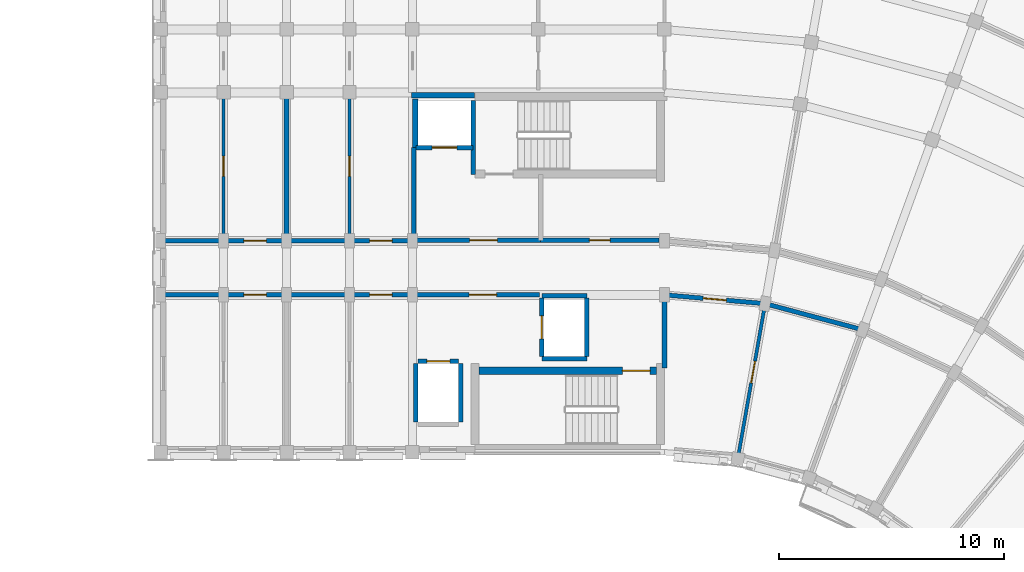
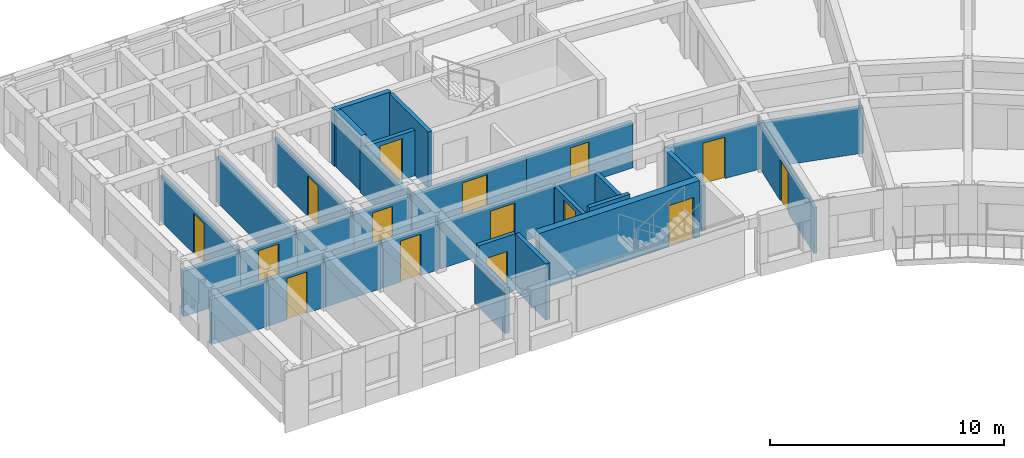
# One storey, part 29 of 53: 31 walls, 15 doors, 15 openings.
"""IFC4 building model written with IfcOpenShell, lengths in metres."""

from ifc_helpers import new_model, si_unit, direction, frame, frame_2d, origin, place, context, subcontext, project, spatial, rectangle, extrude, material, layer, layer_set, type_object, element, fill, save


model = new_model("IFC4")

# Units and contexts
model_context = context("Model", 3, precision=1e-05, world=origin(), true_north=direction((0.0, 1.0)))
body_context = subcontext(model_context, "Body", "Model", "MODEL_VIEW")
ifc_project = project(units=[si_unit("LENGTHUNIT", "METRE"), si_unit("AREAUNIT", "SQUARE_METRE"), si_unit("VOLUMEUNIT", "CUBIC_METRE"), si_unit("PLANEANGLEUNIT", "RADIAN"), si_unit("MASSUNIT", "GRAM", prefix="KILO")], contexts=[model_context])

# Site, building, storey
site_placement = place(None, origin())
site = spatial("IfcSite", under=ifc_project, at=site_placement, CompositionType="ELEMENT")
building_placement = place(site_placement, origin())
building = spatial("IfcBuilding", under=site, at=building_placement, Name="Kiranvali Square Residences", CompositionType="ELEMENT")
storey_placement = place(building_placement, frame((0.0, 0.0, 30.75)))
storey = spatial("IfcBuildingStorey", under=building, at=storey_placement, Name="L09", CompositionType="ELEMENT", Elevation=30.75)

# Wall, opening, door
ifc_material_1 = material(Name="Autoclaved aerated concrete blockwork masonry", Category="masonry")
ifc_layer_1 = layer(ifc_material_1, 0.199951171875)
ifc_layer_set_1 = layer_set([ifc_layer_1], Name="Autoclaved aerated concrete blockwork masonry")
wall_type_1 = type_object("IfcWallType", Name="WL-COR-200", PredefinedType="STANDARD", material=ifc_layer_set_1)
wall_1_placement = place(storey_placement, frame((114.25, 113.60009765625, 0.0), z_axis=(0.0, 0.0, 1.0), x_axis=(-1.0, 0.0, 0.0)))
wall_1 = element("IfcWall", 1, at=wall_1_placement, inside=storey, type_object=wall_type_1, Name="L09 architectural wall WL-L09-B-LL-COR", PredefinedType="STANDARD", context=body_context, shape_type="SweptSolid", body=[
    extrude(rectangle(XDim=5.60009765625, YDim=0.199951171875, at=frame_2d((2.800048828125, 0.0))), origin(), (0.0, 0.0, 1.0), 2.3720703125),
])
opening_1_placement = place(wall_1_placement, frame((1.909912109375, 0.0, 0.0)))
opening_1 = element("IfcOpeningElement", 2, at=opening_1_placement, cuts=wall_1, Name="Opening FD-COR-60", PredefinedType="OPENING", context=body_context, shape_type="SweptSolid", body=[
    extrude(rectangle(XDim=1.219970703125, YDim=2.14990234375, at=frame_2d((0.60986328125, 1.074951171875))), frame((0.0, 0.10986328125, 0.0), z_axis=(0.0, -1.0, 0.0), x_axis=(1.0, 0.0, 0.0)), (0.0, 0.0, 1.0), 0.219970703125),
])
ifc_material_2 = material(Name="Fire-rated acoustic hardwood and mineral-core door assembly", Category="wood")
door_type_1 = type_object("IfcDoorType", Name="DR-FD60-1200", OperationType="NOTDEFINED", PredefinedType="DOOR", material=ifc_material_2)
door_1_placement = place(opening_1_placement, origin())
door_1 = element("IfcDoor", 3, at=door_1_placement, inside=storey, type_object=door_type_1, Name="L09 door DR-L09-1521 (DR-FD60-1200)", OperationType="SINGLE_SWING_LEFT", OverallHeight=2.14990234375, OverallWidth=1.219970703125, PredefinedType="DOOR", context=body_context, shape_type="SweptSolid", body=[
    extrude(rectangle(XDim=1.219970703125, YDim=2.14990234375, at=frame_2d((0.60986328125, 1.074951171875))), frame((0.0, 0.02490234375, 0.0), z_axis=(0.0, -1.0, 0.0), x_axis=(1.0, 0.0, 0.0)), (0.0, 0.0, 1.0), 0.050048828125),
])
fill(opening_1, door_1)

wall_2_placement = place(storey_placement, frame((108.60009765625, 113.60009765625, 0.0), z_axis=(0.0, 0.0, 1.0), x_axis=(-1.0, 0.0, 0.0)))
wall_2 = element("IfcWall", 4, at=wall_2_placement, inside=storey, type_object=wall_type_1, Name="L09 architectural wall WL-L09-B-A1CI-0", PredefinedType="STANDARD", context=body_context, shape_type="SweptSolid", body=[
    extrude(rectangle(XDim=2.800048828125, YDim=0.199951171875, at=frame_2d((1.39990234375, 0.0))), origin(), (0.0, 0.0, 1.0), 2.3720703125),
])
opening_2_placement = place(wall_2_placement, frame((0.89990234375, 0.0, 0.0)))
opening_2 = element("IfcOpeningElement", 5, at=opening_2_placement, cuts=wall_2, Name="Opening FD-APT-60", PredefinedType="OPENING", context=body_context, shape_type="SweptSolid", body=[
    extrude(rectangle(XDim=1.0, YDim=2.14990234375, at=frame_2d((0.5, 1.074951171875))), frame((0.0, 0.10986328125, 0.0), z_axis=(0.0, -1.0, 0.0), x_axis=(1.0, 0.0, 0.0)), (0.0, 0.0, 1.0), 0.219970703125),
])
door_type_2 = type_object("IfcDoorType", Name="DR-APT-1000", OperationType="NOTDEFINED", PredefinedType="DOOR", material=ifc_material_2)
door_2_placement = place(opening_2_placement, origin())
door_2 = element("IfcDoor", 6, at=door_2_placement, inside=storey, type_object=door_type_2, Name="L09 door DR-L09-1525 (DR-APT-1000)", OperationType="SINGLE_SWING_LEFT", OverallHeight=2.14990234375, OverallWidth=1.0, PredefinedType="DOOR", context=body_context, shape_type="SweptSolid", body=[
    extrude(rectangle(XDim=1.0, YDim=2.14990234375, at=frame_2d((0.5, 1.074951171875))), frame((0.0, 0.02490234375, 0.0), z_axis=(0.0, -1.0, 0.0), x_axis=(1.0, 0.0, 0.0)), (0.0, 0.0, 1.0), 0.050048828125),
])
fill(opening_2, door_2)

wall_3_placement = place(storey_placement, frame((108.60009765625, 116.0, 0.0), z_axis=(0.0, 0.0, 1.0), x_axis=(-1.0, 0.0, 0.0)))
wall_3 = element("IfcWall", 7, at=wall_3_placement, inside=storey, type_object=wall_type_1, Name="L09 architectural wall WL-L09-B-A1CO-0", PredefinedType="STANDARD", context=body_context, shape_type="SweptSolid", body=[
    extrude(rectangle(XDim=2.800048828125, YDim=0.199951171875, at=frame_2d((1.39990234375, 0.0))), origin(), (0.0, 0.0, 1.0), 2.3720703125),
])
opening_3_placement = place(wall_3_placement, frame((0.89990234375, 0.0, 0.0)))
opening_3 = element("IfcOpeningElement", 8, at=opening_3_placement, cuts=wall_3, Name="Opening FD-APT-60", PredefinedType="OPENING", context=body_context, shape_type="SweptSolid", body=[
    extrude(rectangle(XDim=1.0, YDim=2.14990234375, at=frame_2d((0.5, 1.074951171875))), frame((0.0, 0.10986328125, 0.0), z_axis=(0.0, -1.0, 0.0), x_axis=(1.0, 0.0, 0.0)), (0.0, 0.0, 1.0), 0.219970703125),
])
door_3_placement = place(opening_3_placement, origin())
door_3 = element("IfcDoor", 9, at=door_3_placement, inside=storey, type_object=door_type_2, Name="L09 door DR-L09-1527 (DR-APT-1000)", OperationType="SINGLE_SWING_LEFT", OverallHeight=2.14990234375, OverallWidth=1.0, PredefinedType="DOOR", context=body_context, shape_type="SweptSolid", body=[
    extrude(rectangle(XDim=1.0, YDim=2.14990234375, at=frame_2d((0.5, 1.074951171875))), frame((0.0, 0.02490234375, 0.0), z_axis=(0.0, -1.0, 0.0), x_axis=(1.0, 0.0, 0.0)), (0.0, 0.0, 1.0), 0.050048828125),
])
fill(opening_3, door_3)

# Walls
for number, where, z_axis, x_axis, name in (
    (10, (105.800048828125, 113.60009765625, 0.0), (0.0, 0.0, 1.0), (-1.0, 0.0, 0.0), "L09 architectural wall WL-L09-B-A1CI-1"),
    (11, (105.800048828125, 116.0, 0.0), (0.0, 0.0, 1.0), (-1.0, 0.0, 0.0), "L09 architectural wall WL-L09-B-A1CO-1"),
):
    element("IfcWall", number, at=place(storey_placement, frame(where, z_axis=z_axis, x_axis=x_axis)), inside=storey, type_object=wall_type_1, Name=name, PredefinedType="STANDARD", context=body_context, shape_type="SweptSolid", body=[
        extrude(rectangle(XDim=2.800048828125, YDim=0.199951171875, at=frame_2d((1.39990234375, 0.0))), origin(), (0.0, 0.0, 1.0), 2.3720703125),
    ])

# Wall, opening, door
wall_4_placement = place(storey_placement, frame((103.0, 113.60009765625, 0.0), z_axis=(0.0, 0.0, 1.0), x_axis=(-1.0, 0.0, 0.0)))
wall_4 = element("IfcWall", 12, at=wall_4_placement, inside=storey, type_object=wall_type_1, Name="L09 architectural wall WL-L09-B-A1CI-2", PredefinedType="STANDARD", context=body_context, shape_type="SweptSolid", body=[
    extrude(rectangle(XDim=2.800048828125, YDim=0.199951171875, at=frame_2d((1.39990234375, 0.0))), origin(), (0.0, 0.0, 1.0), 2.3720703125),
])
opening_4_placement = place(wall_4_placement, frame((0.89990234375, 0.0, 0.0)))
opening_4 = element("IfcOpeningElement", 13, at=opening_4_placement, cuts=wall_4, Name="Opening FD-APT-60", PredefinedType="OPENING", context=body_context, shape_type="SweptSolid", body=[
    extrude(rectangle(XDim=1.0, YDim=2.14990234375, at=frame_2d((0.5, 1.074951171875))), frame((0.0, 0.10986328125, 0.0), z_axis=(0.0, -1.0, 0.0), x_axis=(1.0, 0.0, 0.0)), (0.0, 0.0, 1.0), 0.219970703125),
])
door_4_placement = place(opening_4_placement, origin())
door_4 = element("IfcDoor", 14, at=door_4_placement, inside=storey, type_object=door_type_2, Name="L09 door DR-L09-1529 (DR-APT-1000)", OperationType="SINGLE_SWING_LEFT", OverallHeight=2.14990234375, OverallWidth=1.0, PredefinedType="DOOR", context=body_context, shape_type="SweptSolid", body=[
    extrude(rectangle(XDim=1.0, YDim=2.14990234375, at=frame_2d((0.5, 1.074951171875))), frame((0.0, 0.02490234375, 0.0), z_axis=(0.0, -1.0, 0.0), x_axis=(1.0, 0.0, 0.0)), (0.0, 0.0, 1.0), 0.050048828125),
])
fill(opening_4, door_4)

wall_5_placement = place(storey_placement, frame((103.0, 116.0, 0.0), z_axis=(0.0, 0.0, 1.0), x_axis=(-1.0, 0.0, 0.0)))
wall_5 = element("IfcWall", 15, at=wall_5_placement, inside=storey, type_object=wall_type_1, Name="L09 architectural wall WL-L09-B-A1CO-2", PredefinedType="STANDARD", context=body_context, shape_type="SweptSolid", body=[
    extrude(rectangle(XDim=2.800048828125, YDim=0.199951171875, at=frame_2d((1.39990234375, 0.0))), origin(), (0.0, 0.0, 1.0), 2.3720703125),
])
opening_5_placement = place(wall_5_placement, frame((0.89990234375, 0.0, 0.0)))
opening_5 = element("IfcOpeningElement", 16, at=opening_5_placement, cuts=wall_5, Name="Opening FD-APT-60", PredefinedType="OPENING", context=body_context, shape_type="SweptSolid", body=[
    extrude(rectangle(XDim=1.0, YDim=2.14990234375, at=frame_2d((0.5, 1.074951171875))), frame((0.0, 0.10986328125, 0.0), z_axis=(0.0, -1.0, 0.0), x_axis=(1.0, 0.0, 0.0)), (0.0, 0.0, 1.0), 0.219970703125),
])
door_5_placement = place(opening_5_placement, origin())
door_5 = element("IfcDoor", 17, at=door_5_placement, inside=storey, type_object=door_type_2, Name="L09 door DR-L09-1531 (DR-APT-1000)", OperationType="SINGLE_SWING_LEFT", OverallHeight=2.14990234375, OverallWidth=1.0, PredefinedType="DOOR", context=body_context, shape_type="SweptSolid", body=[
    extrude(rectangle(XDim=1.0, YDim=2.14990234375, at=frame_2d((0.5, 1.074951171875))), frame((0.0, 0.02490234375, 0.0), z_axis=(0.0, -1.0, 0.0), x_axis=(1.0, 0.0, 0.0)), (0.0, 0.0, 1.0), 0.050048828125),
])
fill(opening_5, door_5)

# Walls
for number, where, z_axis, x_axis, name in (
    (18, (100.199951171875, 113.60009765625, 0.0), (0.0, 0.0, 1.0), (-1.0, 0.0, 0.0), "L09 architectural wall WL-L09-B-A1CI-3"),
    (19, (100.199951171875, 116.0, 0.0), (0.0, 0.0, 1.0), (-1.0, 0.0, 0.0), "L09 architectural wall WL-L09-B-A1CO-3"),
):
    element("IfcWall", number, at=place(storey_placement, frame(where, z_axis=z_axis, x_axis=x_axis)), inside=storey, type_object=wall_type_1, Name=name, PredefinedType="STANDARD", context=body_context, shape_type="SweptSolid", body=[
        extrude(rectangle(XDim=2.800048828125, YDim=0.199951171875, at=frame_2d((1.39990234375, 0.0))), origin(), (0.0, 0.0, 1.0), 2.3720703125),
    ])

# Wall, opening, door
wall_6_placement = place(storey_placement, frame((119.800048828125, 113.60009765625, 0.0), z_axis=(0.0, 0.0, 1.0), x_axis=(0.996191949488, -0.087187153726, 0.0)))
wall_6 = element("IfcWall", 20, at=wall_6_placement, inside=storey, type_object=wall_type_1, Name="L09 architectural wall WL-L09-B-CCI-0", PredefinedType="STANDARD", context=body_context, shape_type="SweptSolid", body=[
    extrude(rectangle(XDim=4.4970703125, YDim=0.199951171875, at=frame_2d((2.24853515625, 0.0))), origin(), (0.0, 0.0, 1.0), 2.3720703125),
])
opening_6_placement = place(wall_6_placement, frame((1.728515625, 0.0, 0.0)))
opening_6 = element("IfcOpeningElement", 21, at=opening_6_placement, cuts=wall_6, Name="Opening FD-APT-60B", PredefinedType="OPENING", context=body_context, shape_type="SweptSolid", body=[
    extrude(rectangle(XDim=1.0400390625, YDim=2.14990234375, at=frame_2d((0.52001953125, 1.074951171875))), frame((0.0, 0.10986328125, 0.0), z_axis=(0.0, -1.0, 0.0), x_axis=(1.0, 0.0, 0.0)), (0.0, 0.0, 1.0), 0.219970703125),
])
door_type_3 = type_object("IfcDoorType", Name="DR-APT-1040", OperationType="NOTDEFINED", PredefinedType="DOOR", material=ifc_material_2)
door_6_placement = place(opening_6_placement, frame((1.0400390625, 0.0, 0.0), z_axis=(0.0, 0.0, 1.0), x_axis=(-1.0, 0.0, 0.0)))
door_6 = element("IfcDoor", 22, at=door_6_placement, inside=storey, type_object=door_type_3, Name="L09 door DR-L09-1560 (DR-APT-1040)", OperationType="SINGLE_SWING_RIGHT", OverallHeight=2.14990234375, OverallWidth=1.0400390625, PredefinedType="DOOR", context=body_context, shape_type="SweptSolid", body=[
    extrude(rectangle(XDim=1.0400390625, YDim=2.14990234375, at=frame_2d((0.52001953125, 1.074951171875))), frame((0.0, 0.02490234375, 0.0), z_axis=(0.0, -1.0, 0.0), x_axis=(1.0, 0.0, 0.0)), (0.0, 0.0, 1.0), 0.050048828125),
])
fill(opening_6, door_6)

# Walls
wall_7_placement = place(storey_placement, frame((124.280029296875, 113.2080078125, 0.0), z_axis=(0.0, 0.0, 1.0), x_axis=(0.965934240054, -0.258787642463, 0.0)))
element("IfcWall", 23, at=wall_7_placement, inside=storey, type_object=wall_type_1, Name="L09 architectural wall WL-L09-B-CCI-1", PredefinedType="STANDARD", context=body_context, shape_type="SweptSolid", body=[
    extrude(rectangle(XDim=4.497314453125, YDim=0.199951171875, at=frame_2d((2.24853515625, 0.0))), origin(), (0.0, 0.0, 1.0), 2.3720703125),
])
ifc_layer_2 = layer(ifc_material_1, 0.219970703125)
ifc_layer_set_2 = layer_set([ifc_layer_2], Name="Autoclaved aerated concrete blockwork masonry")
wall_type_2 = type_object("IfcWallType", Name="WL-DEM-220", PredefinedType="STANDARD", material=ifc_layer_set_2)
wall_8_placement = place(storey_placement, frame((103.0, 116.050048828125, 0.0), z_axis=(0.0, 0.0, 1.0), x_axis=(0.0, 1.0, 0.0)))
element("IfcWall", 24, at=wall_8_placement, inside=storey, type_object=wall_type_2, Name="L09 architectural wall WL-L09-B-A1TO1-2", PredefinedType="STANDARD", context=body_context, shape_type="SweptSolid", body=[
    extrude(rectangle(XDim=6.530029296875, YDim=0.219970703125, at=frame_2d((3.26513671875, 0.0))), origin(), (0.0, 0.0, 1.0), 2.3720703125),
])
wall_9_placement = place(storey_placement, frame((119.800048828125, 110.35009765625, 0.0), z_axis=(0.0, 0.0, 1.0), x_axis=(0.0, 1.0, 0.0)))
element("IfcWall", 25, at=wall_9_placement, inside=storey, type_object=wall_type_2, Name="L09 architectural wall WL-L09-B-RADI-0", PredefinedType="STANDARD", context=body_context, shape_type="SweptSolid", body=[
    extrude(rectangle(XDim=3.199951171875, YDim=0.219970703125, at=frame_2d((1.60009765625, 0.0))), origin(), (0.0, 0.0, 1.0), 2.3720703125),
])

# Wall, opening, door
ifc_layer_3 = layer(ifc_material_1, 0.199951171875)
ifc_layer_set_3 = layer_set([ifc_layer_3], Name="Autoclaved aerated concrete blockwork masonry")
wall_type_3 = type_object("IfcWallType", Name="WL-FFL-200", PredefinedType="STANDARD", material=ifc_layer_set_3)
wall_10_placement = place(storey_placement, frame((114.300048828125, 116.02001953125, 0.0), z_axis=(0.0, 0.0, 1.0), x_axis=(-1.0, 0.0, 0.0)))
wall_10 = element("IfcWall", 26, at=wall_10_placement, inside=storey, type_object=wall_type_3, Name="L09 architectural wall WL-L09-B-FF-COR", PredefinedType="STANDARD", context=body_context, shape_type="SweptSolid", body=[
    extrude(rectangle(XDim=5.650146484375, YDim=0.199951171875, at=frame_2d((2.8251953125, 0.0))), origin(), (0.0, 0.0, 1.0), 2.3720703125),
])
opening_7_placement = place(wall_10_placement, frame((1.922607421875, 0.0, 0.0)))
opening_7 = element("IfcOpeningElement", 27, at=opening_7_placement, cuts=wall_10, Name="Opening FD-ST-120", PredefinedType="OPENING", context=body_context, shape_type="SweptSolid", body=[
    extrude(rectangle(XDim=1.239990234375, YDim=2.14990234375, at=frame_2d((0.6201171875, 1.074951171875))), frame((0.0, 0.10986328125, 0.0), z_axis=(0.0, -1.0, 0.0), x_axis=(1.0, 0.0, 0.0)), (0.0, 0.0, 1.0), 0.219970703125),
])
door_type_4 = type_object("IfcDoorType", Name="DR-FD120-1200", OperationType="NOTDEFINED", PredefinedType="DOOR", material=ifc_material_2)
door_7_placement = place(opening_7_placement, origin())
door_7 = element("IfcDoor", 28, at=door_7_placement, inside=storey, type_object=door_type_4, Name="L09 door DR-L09-1513 (DR-FD120-1200)", OperationType="SINGLE_SWING_LEFT", OverallHeight=2.14990234375, OverallWidth=1.239990234375, PredefinedType="DOOR", context=body_context, shape_type="SweptSolid", body=[
    extrude(rectangle(XDim=1.239990234375, YDim=2.14990234375, at=frame_2d((0.6201171875, 1.074951171875))), frame((0.0, 0.02490234375, 0.0), z_axis=(0.0, -1.0, 0.0), x_axis=(1.0, 0.0, 0.0)), (0.0, 0.0, 1.0), 0.050048828125),
])
fill(opening_7, door_7)

# Wall
wall_11_placement = place(storey_placement, frame((108.64990234375, 116.02001953125, 0.0), z_axis=(0.0, 0.0, 1.0), x_axis=(0.0, 1.0, 0.0)))
element("IfcWall", 29, at=wall_11_placement, inside=storey, type_object=wall_type_3, Name="L09 architectural wall WL-L09-B-FF-END", PredefinedType="STANDARD", context=body_context, shape_type="SweptSolid", body=[
    extrude(rectangle(XDim=4.1298828125, YDim=0.199951171875, at=frame_2d((2.06494140625, 0.0))), origin(), (0.0, 0.0, 1.0), 2.3720703125),
])

# Wall, opening, door
wall_12_placement = place(storey_placement, frame((111.300048828125, 120.14990234375, 0.0), z_axis=(0.0, 0.0, 1.0), x_axis=(-1.0, 0.0, 0.0)))
wall_12 = element("IfcWall", 30, at=wall_12_placement, inside=storey, type_object=wall_type_3, Name="L09 architectural wall WL-L09-B-FF-LFT", PredefinedType="STANDARD", context=body_context, shape_type="SweptSolid", body=[
    extrude(rectangle(XDim=2.550048828125, YDim=0.199951171875, at=frame_2d((1.27490234375, 0.0))), origin(), (0.0, 0.0, 1.0), 2.3720703125),
])
opening_8_placement = place(wall_12_placement, frame((0.72509765625, 0.0, 0.0)))
opening_8 = element("IfcOpeningElement", 31, at=opening_8_placement, cuts=wall_12, Name="Opening LD-FF-110", PredefinedType="OPENING", context=body_context, shape_type="SweptSolid", body=[
    extrude(rectangle(XDim=1.10009765625, YDim=2.14990234375, at=frame_2d((0.550048828125, 1.074951171875))), frame((0.0, 0.10986328125, 0.0), z_axis=(0.0, -1.0, 0.0), x_axis=(1.0, 0.0, 0.0)), (0.0, 0.0, 1.0), 0.219970703125),
])
door_type_5 = type_object("IfcDoorType", Name="DR-LIFT-FF-1100", OperationType="SLIDING_TO_LEFT", PredefinedType="DOOR", material=ifc_material_2)
door_8_placement = place(opening_8_placement, origin())
door_8 = element("IfcDoor", 32, at=door_8_placement, inside=storey, type_object=door_type_5, Name="L09 door DR-L09-1515 (DR-LIFT-FF-1100)", OperationType="SLIDING_TO_LEFT", OverallHeight=2.14990234375, OverallWidth=1.10009765625, PredefinedType="DOOR", context=body_context, shape_type="SweptSolid", body=[
    extrude(rectangle(XDim=1.10009765625, YDim=2.14990234375, at=frame_2d((0.550048828125, 1.074951171875))), frame((0.0, 0.02490234375, 0.0), z_axis=(0.0, -1.0, 0.0), x_axis=(1.0, 0.0, 0.0)), (0.0, 0.0, 1.0), 0.050048828125),
])
fill(opening_8, door_8)

ifc_material_3 = material(Name="Acoustic gypsum board drylined partition", Category="gypsum")
ifc_layer_4 = layer(ifc_material_3, 0.14990234375)
ifc_layer_set_4 = layer_set([ifc_layer_4], Name="Acoustic gypsum board drylined partition")
wall_type_4 = type_object("IfcWallType", Name="WL-PRT-150", PredefinedType="PARTITIONING", material=ifc_layer_set_4)
wall_13_placement = place(storey_placement, frame((105.800048828125, 116.050048828125, 0.0), z_axis=(0.0, 0.0, 1.0), x_axis=(0.0, 1.0, 0.0)))
wall_13 = element("IfcWall", 33, at=wall_13_placement, inside=storey, type_object=wall_type_4, Name="L09 architectural wall WL-L09-B-A1TO1-1", PredefinedType="PARTITIONING", context=body_context, shape_type="SweptSolid", body=[
    extrude(rectangle(XDim=6.530029296875, YDim=0.14990234375, at=frame_2d((3.26513671875, 0.0))), origin(), (0.0, 0.0, 1.0), 2.3720703125),
])
opening_9_placement = place(wall_13_placement, frame((2.81494140625, 0.0, 0.0)))
opening_9 = element("IfcOpeningElement", 34, at=opening_9_placement, cuts=wall_13, Name="Opening ID-1", PredefinedType="OPENING", context=body_context, shape_type="SweptSolid", body=[
    extrude(rectangle(XDim=0.89990234375, YDim=2.10009765625, at=frame_2d((0.449951171875, 1.050048828125))), frame((0.0, 0.0849609375, 0.0), z_axis=(0.0, -1.0, 0.0), x_axis=(1.0, 0.0, 0.0)), (0.0, 0.0, 1.0), 0.169921875),
])
ifc_material_4 = material(Name="Solid seasoned teak hardwood joinery", Category="wood")
door_type_6 = type_object("IfcDoorType", Name="DR-INT-900", OperationType="NOTDEFINED", PredefinedType="DOOR", material=ifc_material_4)
door_9_placement = place(opening_9_placement, origin())
door_9 = element("IfcDoor", 35, at=door_9_placement, inside=storey, type_object=door_type_6, Name="L09 door DR-L09-1535 (DR-INT-900)", OperationType="SINGLE_SWING_LEFT", OverallHeight=2.10009765625, OverallWidth=0.89990234375, PredefinedType="DOOR", context=body_context, shape_type="SweptSolid", body=[
    extrude(rectangle(XDim=0.89990234375, YDim=2.10009765625, at=frame_2d((0.449951171875, 1.050048828125))), frame((0.0, 0.02490234375, 0.0), z_axis=(0.0, -1.0, 0.0), x_axis=(1.0, 0.0, 0.0)), (0.0, 0.0, 1.0), 0.050048828125),
])
fill(opening_9, door_9)

wall_14_placement = place(storey_placement, frame((100.199951171875, 116.050048828125, 0.0), z_axis=(0.0, 0.0, 1.0), x_axis=(0.0, 1.0, 0.0)))
wall_14 = element("IfcWall", 36, at=wall_14_placement, inside=storey, type_object=wall_type_4, Name="L09 architectural wall WL-L09-B-A1TO1-3", PredefinedType="PARTITIONING", context=body_context, shape_type="SweptSolid", body=[
    extrude(rectangle(XDim=6.530029296875, YDim=0.14990234375, at=frame_2d((3.26513671875, 0.0))), origin(), (0.0, 0.0, 1.0), 2.3720703125),
])
opening_10_placement = place(wall_14_placement, frame((2.81494140625, 0.0, 0.0)))
opening_10 = element("IfcOpeningElement", 37, at=opening_10_placement, cuts=wall_14, Name="Opening ID-1", PredefinedType="OPENING", context=body_context, shape_type="SweptSolid", body=[
    extrude(rectangle(XDim=0.89990234375, YDim=2.10009765625, at=frame_2d((0.449951171875, 1.050048828125))), frame((0.0, 0.0849609375, 0.0), z_axis=(0.0, -1.0, 0.0), x_axis=(1.0, 0.0, 0.0)), (0.0, 0.0, 1.0), 0.169921875),
])
door_10_placement = place(opening_10_placement, frame((0.89990234375, 0.0, 0.0), z_axis=(0.0, 0.0, 1.0), x_axis=(-1.0, 0.0, 0.0)))
door_10 = element("IfcDoor", 38, at=door_10_placement, inside=storey, type_object=door_type_6, Name="L09 door DR-L09-1538 (DR-INT-900)", OperationType="SINGLE_SWING_RIGHT", OverallHeight=2.10009765625, OverallWidth=0.89990234375, PredefinedType="DOOR", context=body_context, shape_type="SweptSolid", body=[
    extrude(rectangle(XDim=0.89990234375, YDim=2.10009765625, at=frame_2d((0.449951171875, 1.050048828125))), frame((0.0, 0.02490234375, 0.0), z_axis=(0.0, -1.0, 0.0), x_axis=(1.0, 0.0, 0.0)), (0.0, 0.0, 1.0), 0.050048828125),
])
fill(opening_10, door_10)

wall_15_placement = place(storey_placement, frame((123.099365234375, 106.51123046875, 0.0), z_axis=(0.0, 0.0, 1.0), x_axis=(0.173647089161, 0.984807944945, 0.0)))
wall_15 = element("IfcWall", 39, at=wall_15_placement, inside=storey, type_object=wall_type_4, Name="L09 architectural wall WL-L09-B-RADI-1", PredefinedType="PARTITIONING", context=body_context, shape_type="SweptSolid", body=[
    extrude(rectangle(XDim=6.75, YDim=0.14990234375, at=frame_2d((3.375, 0.0))), origin(), (0.0, 0.0, 1.0), 2.3720703125),
])
opening_11_placement = place(wall_15_placement, frame((3.222412109375, 0.0, 0.0)))
opening_11 = element("IfcOpeningElement", 40, at=opening_11_placement, cuts=wall_15, Name="Opening ID-3", PredefinedType="OPENING", context=body_context, shape_type="SweptSolid", body=[
    extrude(rectangle(XDim=0.97998046875, YDim=2.1201171875, at=frame_2d((0.489990234375, 1.06005859375))), frame((0.0, 0.0849609375, 0.0), z_axis=(0.0, -1.0, 0.0), x_axis=(1.0, 0.0, 0.0)), (0.0, 0.0, 1.0), 0.169921875),
])
door_type_7 = type_object("IfcDoorType", Name="DR-INT-980", OperationType="NOTDEFINED", PredefinedType="DOOR", material=ifc_material_4)
door_11_placement = place(opening_11_placement, origin())
door_11 = element("IfcDoor", 41, at=door_11_placement, inside=storey, type_object=door_type_7, Name="L09 door DR-L09-1541 (DR-INT-980)", OperationType="SINGLE_SWING_LEFT", OverallHeight=2.1201171875, OverallWidth=0.97998046875, PredefinedType="DOOR", context=body_context, shape_type="SweptSolid", body=[
    extrude(rectangle(XDim=0.97998046875, YDim=2.1201171875, at=frame_2d((0.489990234375, 1.06005859375))), frame((0.0, 0.02490234375, 0.0), z_axis=(0.0, -1.0, 0.0), x_axis=(1.0, 0.0, 0.0)), (0.0, 0.0, 1.0), 0.050048828125),
])
fill(opening_11, door_11)

ifc_layer_5 = layer(ifc_material_1, 0.199951171875)
ifc_layer_set_5 = layer_set([ifc_layer_5], Name="Autoclaved aerated concrete blockwork masonry")
wall_type_5 = type_object("IfcWallType", Name="WL-SHF-200", PredefinedType="STANDARD", material=ifc_layer_set_5)
wall_16_placement = place(storey_placement, frame((119.550048828125, 116.02001953125, 0.0), z_axis=(0.0, 0.0, 1.0), x_axis=(-1.0, 0.0, 0.0)))
wall_16 = element("IfcWall", 42, at=wall_16_placement, inside=storey, type_object=wall_type_5, Name="L09 architectural wall WL-L09-B-RSR-COR", PredefinedType="STANDARD", context=body_context, shape_type="SweptSolid", body=[
    extrude(rectangle(XDim=5.25, YDim=0.199951171875, at=frame_2d((2.625, 0.0))), origin(), (0.0, 0.0, 1.0), 2.3720703125),
])
opening_12_placement = place(wall_16_placement, frame((2.1650390625, 0.0, 0.0)))
opening_12 = element("IfcOpeningElement", 43, at=opening_12_placement, cuts=wall_16, Name="Opening FD-SVC-120", PredefinedType="OPENING", context=body_context, shape_type="SweptSolid", body=[
    extrude(rectangle(XDim=0.919921875, YDim=2.10009765625, at=frame_2d((0.4599609375, 1.050048828125))), frame((0.0, 0.10986328125, 0.0), z_axis=(0.0, -1.0, 0.0), x_axis=(1.0, 0.0, 0.0)), (0.0, 0.0, 1.0), 0.219970703125),
])
door_type_8 = type_object("IfcDoorType", Name="DR-SVC-900", OperationType="NOTDEFINED", PredefinedType="DOOR", material=ifc_material_2)
door_12_placement = place(opening_12_placement, frame((0.919921875, 0.0, 0.0), z_axis=(0.0, 0.0, 1.0), x_axis=(-1.0, 0.0, 0.0)))
door_12 = element("IfcDoor", 44, at=door_12_placement, inside=storey, type_object=door_type_8, Name="L09 door DR-L09-1514 (DR-SVC-900)", OperationType="SINGLE_SWING_RIGHT", OverallHeight=2.10009765625, OverallWidth=0.919921875, PredefinedType="DOOR", context=body_context, shape_type="SweptSolid", body=[
    extrude(rectangle(XDim=0.919921875, YDim=2.10009765625, at=frame_2d((0.4599609375, 1.050048828125))), frame((0.0, 0.02490234375, 0.0), z_axis=(0.0, -1.0, 0.0), x_axis=(1.0, 0.0, 0.0)), (0.0, 0.0, 1.0), 0.050048828125),
])
fill(opening_12, door_12)

# Walls
wall_17_placement = place(storey_placement, frame((111.300048828125, 118.949951171875, 0.0), z_axis=(0.0, 0.0, 1.0), x_axis=(0.0, 1.0, 0.0)))
element("IfcWall", 45, at=wall_17_placement, inside=storey, type_object=wall_type_5, Name="L09 architectural wall WL-L09-B-FF-SHF", PredefinedType="STANDARD", context=body_context, shape_type="SweptSolid", body=[
    extrude(rectangle(XDim=3.300048828125, YDim=0.199951171875, at=frame_2d((1.64990234375, 0.0))), origin(), (0.0, 0.0, 1.0), 2.929931640625),
])
wall_18_placement = place(storey_placement, frame((110.75, 107.949951171875, 0.0), z_axis=(0.0, 0.0, 1.0), x_axis=(0.0, 1.0, 0.0)))
element("IfcWall", 46, at=wall_18_placement, inside=storey, type_object=wall_type_5, Name="L09 architectural wall WL-L09-B-LP1-S1", PredefinedType="STANDARD", context=body_context, shape_type="SweptSolid", body=[
    extrude(rectangle(XDim=2.60009765625, YDim=0.199951171875, at=frame_2d((1.300048828125, 0.0))), origin(), (0.0, 0.0, 1.0), 2.929931640625),
])
wall_19_placement = place(storey_placement, frame((108.75, 107.949951171875, 0.0), z_axis=(0.0, 0.0, 1.0), x_axis=(0.0, 1.0, 0.0)))
element("IfcWall", 47, at=wall_19_placement, inside=storey, type_object=wall_type_5, Name="L09 architectural wall WL-L09-B-LP1-B", PredefinedType="STANDARD", context=body_context, shape_type="SweptSolid", body=[
    extrude(rectangle(XDim=2.60009765625, YDim=0.199951171875, at=frame_2d((1.300048828125, 0.0))), origin(), (0.0, 0.0, 1.0), 2.3720703125),
])

# Wall, opening, door
wall_20_placement = place(storey_placement, frame((110.64990234375, 110.64990234375, 0.0), z_axis=(0.0, 0.0, 1.0), x_axis=(-1.0, 0.0, 0.0)))
wall_20 = element("IfcWall", 48, at=wall_20_placement, inside=storey, type_object=wall_type_5, Name="L09 architectural wall WL-L09-B-LP1-F", PredefinedType="STANDARD", context=body_context, shape_type="SweptSolid", body=[
    extrude(rectangle(XDim=1.7998046875, YDim=0.199951171875, at=frame_2d((0.89990234375, 0.0))), origin(), (0.0, 0.0, 1.0), 2.929931640625),
])
opening_13_placement = place(wall_20_placement, frame((0.389892578125, 0.0, 0.0)))
opening_13 = element("IfcOpeningElement", 49, at=opening_13_placement, cuts=wall_20, Name="Opening LD-PAX-100", PredefinedType="OPENING", context=body_context, shape_type="SweptSolid", body=[
    extrude(rectangle(XDim=1.02001953125, YDim=2.14990234375, at=frame_2d((0.510009765625, 1.074951171875))), frame((0.0, 0.10986328125, 0.0), z_axis=(0.0, -1.0, 0.0), x_axis=(1.0, 0.0, 0.0)), (0.0, 0.0, 1.0), 0.219970703125),
])
door_type_9 = type_object("IfcDoorType", Name="DR-LIFT-1000", OperationType="SLIDING_TO_RIGHT", PredefinedType="DOOR", material=ifc_material_2)
door_13_placement = place(opening_13_placement, origin())
door_13 = element("IfcDoor", 50, at=door_13_placement, inside=storey, type_object=door_type_9, Name="L09 door DR-L09-1519 (DR-LIFT-1000)", OperationType="SLIDING_TO_RIGHT", OverallHeight=2.14990234375, OverallWidth=1.02001953125, PredefinedType="DOOR", context=body_context, shape_type="SweptSolid", body=[
    extrude(rectangle(XDim=1.02001953125, YDim=2.14990234375, at=frame_2d((0.510009765625, 1.074951171875))), frame((0.0, 0.02490234375, 0.0), z_axis=(0.0, -1.0, 0.0), x_axis=(1.0, 0.0, 0.0)), (0.0, 0.0, 1.0), 0.050048828125),
])
fill(opening_13, door_13)

# Walls
wall_21_placement = place(storey_placement, frame((116.35009765625, 110.75, 0.0), z_axis=(0.0, 0.0, 1.0), x_axis=(-1.0, 0.0, 0.0)))
element("IfcWall", 51, at=wall_21_placement, inside=storey, type_object=wall_type_5, Name="L09 architectural wall WL-L09-B-LP2-S0", PredefinedType="STANDARD", context=body_context, shape_type="SweptSolid", body=[
    extrude(rectangle(XDim=2.0, YDim=0.199951171875, at=frame_2d((1.0, 0.0))), origin(), (0.0, 0.0, 1.0), 2.929931640625),
])
wall_22_placement = place(storey_placement, frame((116.35009765625, 113.550048828125, 0.0), z_axis=(0.0, 0.0, 1.0), x_axis=(-1.0, 0.0, 0.0)))
element("IfcWall", 52, at=wall_22_placement, inside=storey, type_object=wall_type_5, Name="L09 architectural wall WL-L09-B-LP2-B", PredefinedType="STANDARD", context=body_context, shape_type="SweptSolid", body=[
    extrude(rectangle(XDim=2.0, YDim=0.199951171875, at=frame_2d((1.0, 0.0))), origin(), (0.0, 0.0, 1.0), 2.3720703125),
])
wall_23_placement = place(storey_placement, frame((116.35009765625, 110.85009765625, 0.0), z_axis=(0.0, 0.0, 1.0), x_axis=(0.0, 1.0, 0.0)))
element("IfcWall", 53, at=wall_23_placement, inside=storey, type_object=wall_type_5, Name="L09 architectural wall WL-L09-B-LP2-S1", PredefinedType="STANDARD", context=body_context, shape_type="SweptSolid", body=[
    extrude(rectangle(XDim=2.599853515625, YDim=0.199951171875, at=frame_2d((1.2998046875, 0.0))), origin(), (0.0, 0.0, 1.0), 2.3720703125),
])

# Wall, opening, door
wall_24_placement = place(storey_placement, frame((114.35009765625, 110.85009765625, 0.0), z_axis=(0.0, 0.0, 1.0), x_axis=(0.0, 1.0, 0.0)))
wall_24 = element("IfcWall", 54, at=wall_24_placement, inside=storey, type_object=wall_type_5, Name="L09 architectural wall WL-L09-B-LP2-F", PredefinedType="STANDARD", context=body_context, shape_type="SweptSolid", body=[
    extrude(rectangle(XDim=2.599853515625, YDim=0.199951171875, at=frame_2d((1.2998046875, 0.0))), origin(), (0.0, 0.0, 1.0), 2.3720703125),
])
opening_14_placement = place(wall_24_placement, frame((0.7900390625, 0.0, 0.0)))
opening_14 = element("IfcOpeningElement", 55, at=opening_14_placement, cuts=wall_24, Name="Opening LD-PAX-100", PredefinedType="OPENING", context=body_context, shape_type="SweptSolid", body=[
    extrude(rectangle(XDim=1.02001953125, YDim=2.14990234375, at=frame_2d((0.510009765625, 1.074951171875))), frame((0.0, 0.10986328125, 0.0), z_axis=(0.0, -1.0, 0.0), x_axis=(1.0, 0.0, 0.0)), (0.0, 0.0, 1.0), 0.219970703125),
])
door_14_placement = place(opening_14_placement, origin())
door_14 = element("IfcDoor", 56, at=door_14_placement, inside=storey, type_object=door_type_9, Name="L09 door DR-L09-1520 (DR-LIFT-1000)", OperationType="SLIDING_TO_RIGHT", OverallHeight=2.14990234375, OverallWidth=1.02001953125, PredefinedType="DOOR", context=body_context, shape_type="SweptSolid", body=[
    extrude(rectangle(XDim=1.02001953125, YDim=2.14990234375, at=frame_2d((0.510009765625, 1.074951171875))), frame((0.0, 0.02490234375, 0.0), z_axis=(0.0, -1.0, 0.0), x_axis=(1.0, 0.0, 0.0)), (0.0, 0.0, 1.0), 0.050048828125),
])
fill(opening_14, door_14)

# Walls
ifc_material_5 = material(Name="Concrete M45 (45 MPa)", Category="concrete")
ifc_layer_6 = layer(ifc_material_5, 0.25)
ifc_layer_set_6 = layer_set([ifc_layer_6], Name="Concrete M45 (45 MPa)")
wall_type_6 = type_object("IfcWallType", Name="WL-SHR-250", PredefinedType="SHEAR", material=ifc_layer_set_6)
wall_25_placement = place(storey_placement, frame((111.35009765625, 122.47509765625, 0.0), z_axis=(0.0, 0.0, 1.0), x_axis=(-1.0, 0.0, 0.0)))
element("IfcWall", 57, at=wall_25_placement, inside=storey, type_object=wall_type_6, Name="Block B core shear wall SW-BFF-BK-L09", PredefinedType="SHEAR", context=body_context, shape_type="SweptSolid", body=[
    extrude(rectangle(XDim=2.800048828125, YDim=0.25, at=frame_2d((1.39990234375, 0.0))), origin(), (0.0, 0.0, 1.0), 2.929931640625),
])
wall_26_placement = place(storey_placement, frame((108.72509765625, 120.14990234375, 0.0), z_axis=(0.0, 0.0, 1.0), x_axis=(0.0, 1.0, 0.0)))
element("IfcWall", 58, at=wall_26_placement, inside=storey, type_object=wall_type_6, Name="Block B core shear wall SW-BFF-SD-L09", PredefinedType="SHEAR", context=body_context, shape_type="SweptSolid", body=[
    extrude(rectangle(XDim=2.150146484375, YDim=0.25, at=frame_2d((1.0751953125, 0.0))), origin(), (0.0, 0.0, 1.0), 2.929931640625),
])

# Wall, opening, door
ifc_layer_7 = layer(ifc_material_5, 0.320068359375)
ifc_layer_set_7 = layer_set([ifc_layer_7], Name="Concrete M45 (45 MPa)")
wall_type_7 = type_object("IfcWallType", Name="WL-SHR-320", PredefinedType="SHEAR", material=ifc_layer_set_7)
wall_27_placement = place(storey_placement, frame((119.449951171875, 110.22509765625, 0.0), z_axis=(0.0, 0.0, 1.0), x_axis=(-1.0, 0.0, 0.0)))
wall_27 = element("IfcWall", 59, at=wall_27_placement, inside=storey, type_object=wall_type_7, Name="Block B core shear wall SW-B2-IN-L09", PredefinedType="SHEAR", context=body_context, shape_type="SweptSolid", body=[
    extrude(rectangle(XDim=7.89990234375, YDim=0.35009765625, at=frame_2d((3.949951171875, 0.0))), origin(), (0.0, 0.0, 1.0), 2.929931640625),
])
opening_15_placement = place(wall_27_placement, frame((0.280029296875, 0.0, 0.0)))
opening_15 = element("IfcOpeningElement", 60, at=opening_15_placement, cuts=wall_27, Name="Opening FD-ST-120", PredefinedType="OPENING", context=body_context, shape_type="SweptSolid", body=[
    extrude(rectangle(XDim=1.239990234375, YDim=2.14990234375, at=frame_2d((0.6201171875, 1.074951171875))), frame((0.0, 0.18505859375, 0.0), z_axis=(0.0, -1.0, 0.0), x_axis=(1.0, 0.0, 0.0)), (0.0, 0.0, 1.0), 0.3701171875),
])
door_15_placement = place(opening_15_placement, origin())
door_15 = element("IfcDoor", 61, at=door_15_placement, inside=storey, type_object=door_type_4, Name="L09 door DR-L09-1517 (DR-FD120-1200)", OperationType="SINGLE_SWING_LEFT", OverallHeight=2.14990234375, OverallWidth=1.239990234375, PredefinedType="DOOR", context=body_context, shape_type="SweptSolid", body=[
    extrude(rectangle(XDim=1.239990234375, YDim=2.14990234375, at=frame_2d((0.6201171875, 1.074951171875))), frame((0.0, 0.02490234375, 0.0), z_axis=(0.0, -1.0, 0.0), x_axis=(1.0, 0.0, 0.0)), (0.0, 0.0, 1.0), 0.050048828125),
])
fill(opening_15, door_15)

save(model, "model.ifc")
